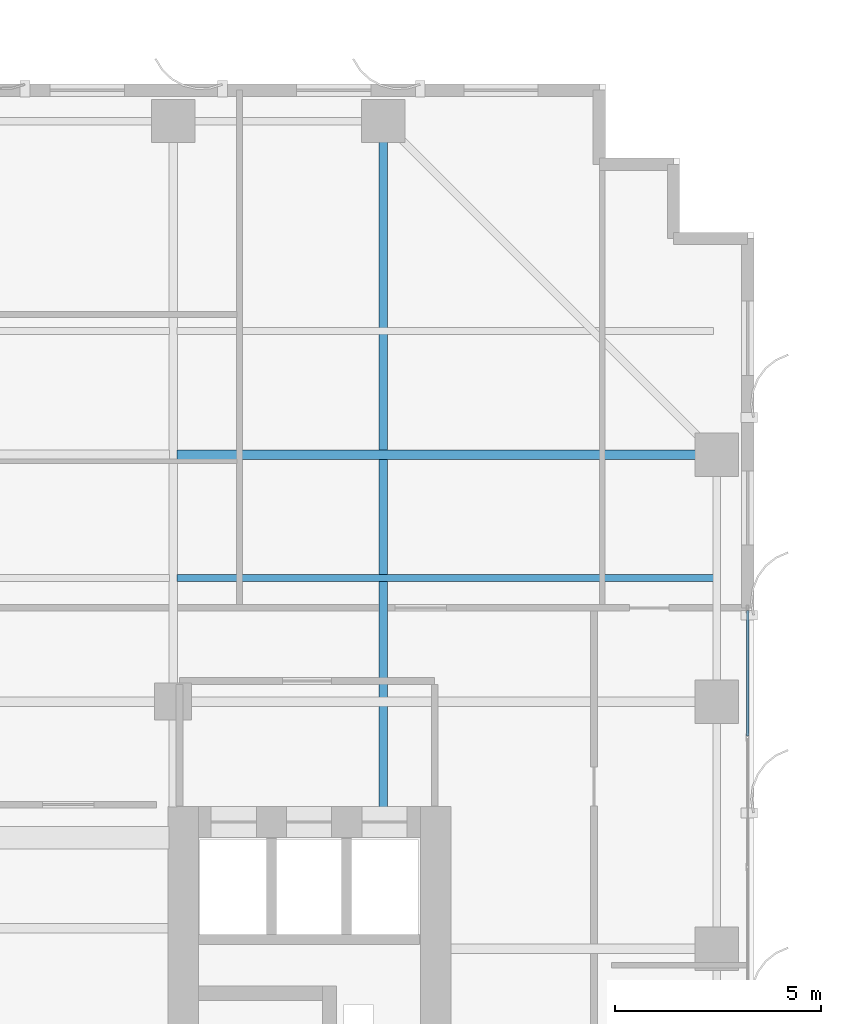
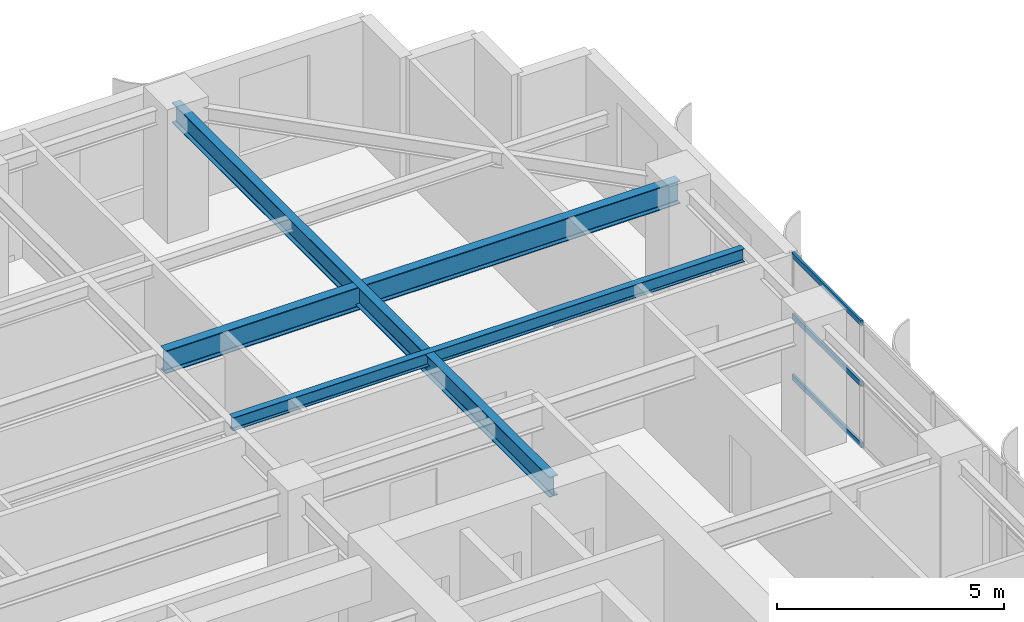
# One storey, part 13 of 23: 3 beams, 3 members, 1 element without a shape of its own.
"""IFC4 building model written with IfcOpenShell, lengths in metres."""

from ifc_helpers import new_model, si_unit, direction, frame, origin, origin_2d, place, context, subcontext, project, spatial, hollow_rectangle, i_section, extrude, source, transform, mapped, material, layer, layer_set, material_profile, profile_set, type_object, element, aggregate, save


model = new_model("IFC4")

# Units and contexts
model_context = context("Model", 3, precision=1e-05, world=origin(), true_north=direction((0.0, 1.0)))
body_context = subcontext(model_context, "Body", "Model", "MODEL_VIEW")
ifc_project = project(units=[si_unit("LENGTHUNIT", "METRE"), si_unit("AREAUNIT", "SQUARE_METRE"), si_unit("VOLUMEUNIT", "CUBIC_METRE"), si_unit("PLANEANGLEUNIT", "RADIAN"), si_unit("MASSUNIT", "GRAM", prefix="KILO")], contexts=[model_context])

# Site, building, storey
site_placement = place(None, origin())
site = spatial("IfcSite", under=ifc_project, at=site_placement, CompositionType="ELEMENT")
building_placement = place(site_placement, origin())
building = spatial("IfcBuilding", under=site, at=building_placement, Name="Khoralis Quay Care Tower", CompositionType="ELEMENT")
storey_placement = place(building_placement, frame((0.0, 0.0, 119.699951171875)))
storey = spatial("IfcBuildingStorey", under=building, at=storey_placement, Name="L31", CompositionType="ELEMENT", Elevation=119.699951171875)

# Beams
ifc_material_1 = material(Name="Steel S355", Category="steel")
ifc_material_profile_1 = material_profile(ifc_material_1, i_section(OverallWidth=0.22998046875, OverallDepth=0.616943359375, WebThickness=0.01318359375, FlangeThickness=0.022216796875, FilletRadius=0.01806640625, at=origin_2d()), Name="Steel S355")
ifc_profile_set_1 = profile_set([ifc_material_profile_1], Name="Steel S355")
beam_type_1 = type_object("IfcBeamType", Name="BM-W610X140", PredefinedType="BEAM", material=ifc_profile_set_1)
shared_shape_1 = source(origin(), body_context, "Body", "SweptSolid", [
    extrude(i_section(OverallWidth=0.22998046875, OverallDepth=0.616943359375, WebThickness=0.01318359375, FlangeThickness=0.022216796875, FilletRadius=0.01806640625, at=origin_2d()), origin(), (0.0, 0.0, 1.0), 13.106201171875),
])
beam_1_placement = place(storey_placement, frame((30.993896484375, 36.0, 3.031494140625), z_axis=(1.0, 0.0, 0.0), x_axis=(0.0, 1.0, 0.0)))
element("IfcBeam", 1, at=beam_1_placement, inside=storey, type_object=beam_type_1, Name="BM-TGXE-L31-360", PredefinedType="BEAM", context=body_context, shape_type="MappedRepresentation", body=[
    mapped(shared_shape_1, transform((0.0, 0.0, 0.0), scale=1.0)),
])
ifc_material_profile_2 = material_profile(ifc_material_1, i_section(OverallWidth=0.2119140625, OverallDepth=0.5439453125, WebThickness=0.01318359375, FlangeThickness=0.021240234375, FilletRadius=0.01611328125, at=origin_2d()), Name="Steel S355")
ifc_profile_set_2 = profile_set([ifc_material_profile_2], Name="Steel S355")
beam_type_2 = type_object("IfcBeamType", Name="BM-W530X123", PredefinedType="BEAM", material=ifc_profile_set_2)
shared_shape_2 = source(origin(), body_context, "Body", "SweptSolid", [
    extrude(i_section(OverallWidth=0.2119140625, OverallDepth=0.5439453125, WebThickness=0.01318359375, FlangeThickness=0.021240234375, FilletRadius=0.01611328125, at=origin_2d()), origin(), (0.0, 0.0, 1.0), 16.652099609375),
])
beam_2_placement = place(storey_placement, frame((36.0, 27.447998046875, 3.068115234375), z_axis=(0.0, 1.0, 0.0), x_axis=(-1.0, 0.0, 0.0)))
element("IfcBeam", 2, at=beam_2_placement, inside=storey, type_object=beam_type_2, Name="BM-TGYN-L31-360", PredefinedType="BEAM", context=body_context, shape_type="MappedRepresentation", body=[
    mapped(shared_shape_2, transform((0.0, 0.0, 0.0), scale=1.0)),
])
ifc_material_profile_3 = material_profile(ifc_material_1, i_section(OverallWidth=0.1708984375, OverallDepth=0.35498046875, WebThickness=0.007080078125, FlangeThickness=0.01171875, FilletRadius=0.012939453125, at=origin_2d()), Name="Steel S355")
ifc_profile_set_3 = profile_set([ifc_material_profile_3], Name="Steel S355")
beam_type_3 = type_object("IfcBeamType", Name="BM-W360X51", PredefinedType="JOIST", material=ifc_profile_set_3)
shared_shape_3 = source(origin(), body_context, "Body", "SweptSolid", [
    extrude(i_section(OverallWidth=0.1708984375, OverallDepth=0.35498046875, WebThickness=0.007080078125, FlangeThickness=0.01171875, FilletRadius=0.012939453125, at=origin_2d()), origin(), (0.0, 0.0, 1.0), 13.030029296875),
])
beam_3_placement = place(storey_placement, frame((30.993896484375, 33.0, 3.16259765625), z_axis=(1.0, 0.0, 0.0), x_axis=(0.0, 1.0, 0.0)))
element("IfcBeam", 3, at=beam_3_placement, inside=storey, type_object=beam_type_3, Name="BM-TJS-L31-29", PredefinedType="JOIST", context=body_context, shape_type="MappedRepresentation", body=[
    mapped(shared_shape_3, transform((0.0, 0.0, 0.0), scale=1.0)),
])

# Curtain wall, members
ifc_material_2 = material(Name="Pale anodised aluminium", Category="aluminium")
ifc_layer = layer(ifc_material_2, 0.169921875)
ifc_layer_set = layer_set([ifc_layer], Name="Pale anodised aluminium")
curtain_wall_type = type_object("IfcCurtainWallType", Name="CW-SYS-Z2", PredefinedType="NOTDEFINED", material=ifc_layer_set)
curtain_wall_placement = place(storey_placement, origin())
curtain_wall = element("IfcCurtainWall", 4, at=curtain_wall_placement, inside=storey, type_object=curtain_wall_type, Name="L31 Unitised Curtain Wall CW-L31-P1-E5", PredefinedType="NOTDEFINED")
ifc_material_profile_4 = material_profile(ifc_material_2, hollow_rectangle(XDim=0.06005859375, YDim=0.139892578125, WallThickness=0.00390625, at=origin_2d()), Name="Pale anodised aluminium")
ifc_profile_set_4 = profile_set([ifc_material_profile_4], Name="Pale anodised aluminium")
member_type = type_object("IfcMemberType", Name="CW-TRN-140", PredefinedType="USERDEFINED", material=ifc_profile_set_4)
shared_shape_4 = source(origin(), body_context, "Body", "SweptSolid", [
    extrude(hollow_rectangle(XDim=0.06005859375, YDim=0.139892578125, WallThickness=0.00390625, at=origin_2d()), origin(), (0.0, 0.0, 1.0), 3.054931640625),
])
member_1_placement = place(storey_placement, frame((44.85009765625, 29.1650390625, 0.030029296875), z_axis=(0.0, 1.0, 0.0), x_axis=(-1.0, 0.0, 0.0)))
member_1 = element("IfcMember", 5, at=member_1_placement, type_object=member_type, Name="CW2 transom 4.1", ObjectType="TRANSOM", PredefinedType="USERDEFINED", context=body_context, shape_type="MappedRepresentation", body=[
    mapped(shared_shape_4, transform((0.0, 0.0, 0.0), scale=1.0)),
])
member_2_placement = place(storey_placement, frame((44.85009765625, 29.1650390625, 1.670166015625), z_axis=(0.0, 1.0, 0.0), x_axis=(-1.0, 0.0, 0.0)))
member_2 = element("IfcMember", 6, at=member_2_placement, type_object=member_type, Name="CW2 transom 4.2", ObjectType="TRANSOM", PredefinedType="USERDEFINED", context=body_context, shape_type="MappedRepresentation", body=[
    mapped(shared_shape_4, transform((0.0, 0.0, 0.0), scale=1.0)),
])
member_3_placement = place(storey_placement, frame((44.85009765625, 29.1650390625, 3.31005859375), z_axis=(0.0, 1.0, 0.0), x_axis=(-1.0, 0.0, 0.0)))
member_3 = element("IfcMember", 7, at=member_3_placement, type_object=member_type, Name="CW2 transom 4.3", ObjectType="TRANSOM", PredefinedType="USERDEFINED", context=body_context, shape_type="MappedRepresentation", body=[
    mapped(shared_shape_4, transform((0.0, 0.0, 0.0), scale=1.0)),
])
aggregate(curtain_wall, [member_1, member_2, member_3])

save(model, "model.ifc")
